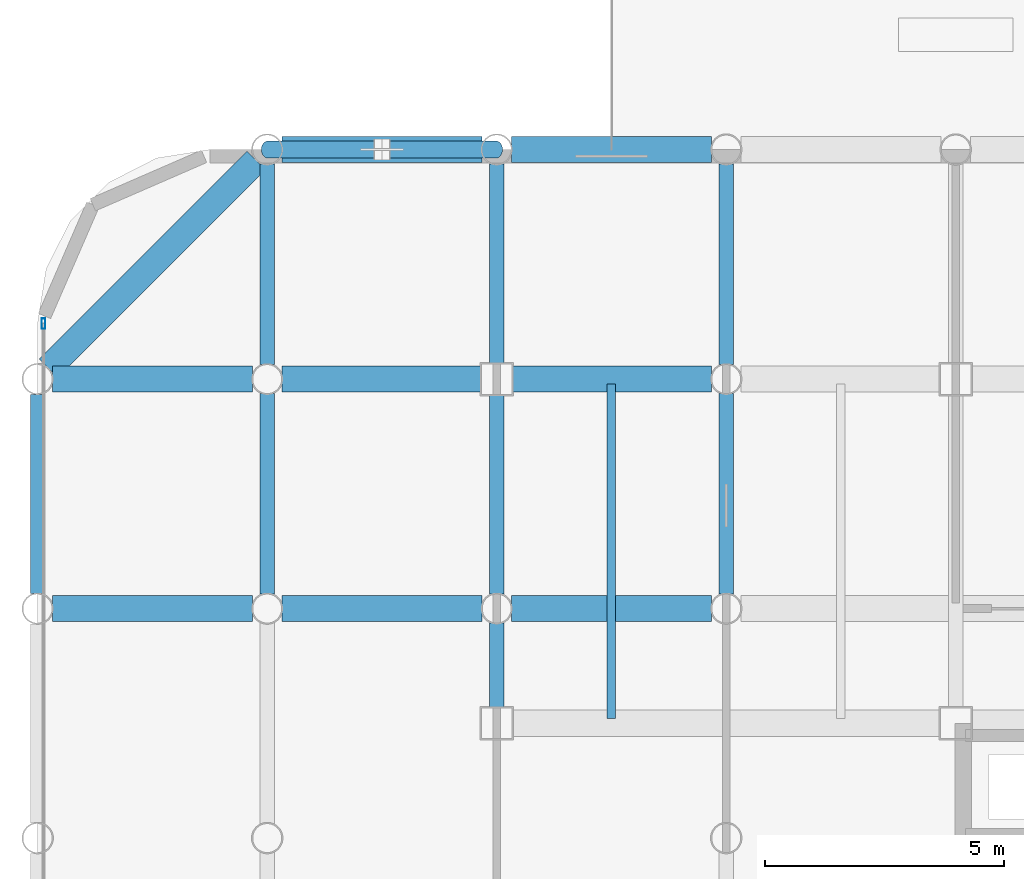
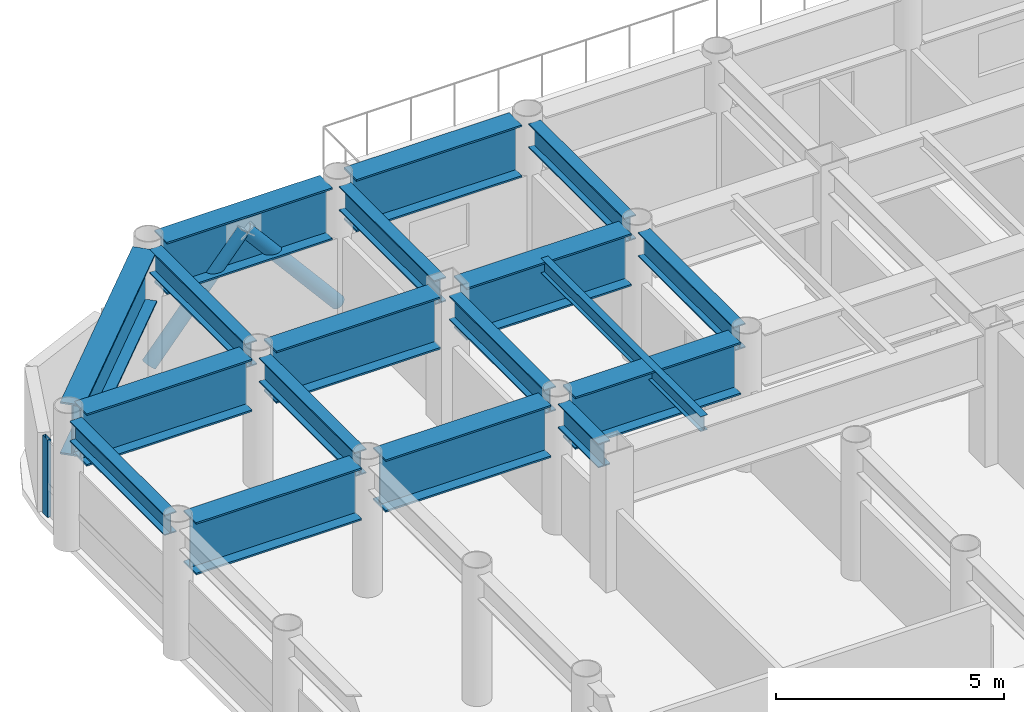
# One storey, part 10 of 22: 18 beams, 3 members, 1 element without a shape of its own.
"""IFC4 building model written with IfcOpenShell, lengths in metres."""

from ifc_helpers import new_model, si_unit, direction, frame, origin, origin_2d, place, context, subcontext, project, spatial, hollow_rectangle, hollow_circle, i_section, extrude, material, layer, layer_set, material_profile, profile_set, type_object, element, aggregate, save


model = new_model("IFC4")

# Units and contexts
model_context = context("Model", 3, precision=1e-05, world=origin(), true_north=direction((0.0, 1.0)))
body_context = subcontext(model_context, "Body", "Model", "MODEL_VIEW")
ifc_project = project(units=[si_unit("LENGTHUNIT", "METRE"), si_unit("AREAUNIT", "SQUARE_METRE"), si_unit("VOLUMEUNIT", "CUBIC_METRE"), si_unit("PLANEANGLEUNIT", "RADIAN"), si_unit("MASSUNIT", "GRAM", prefix="KILO")], contexts=[model_context])

# Site, building, storey
site_placement = place(None, origin())
site = spatial("IfcSite", under=ifc_project, at=site_placement, CompositionType="ELEMENT")
building_placement = place(site_placement, origin())
building = spatial("IfcBuilding", under=site, at=building_placement, Name="Kallvorn Hotel Tower", CompositionType="ELEMENT")
storey_placement = place(building_placement, frame((0.0, 0.0, 154.39990234375)))
storey = spatial("IfcBuildingStorey", under=building, at=storey_placement, Name="L38", CompositionType="ELEMENT", Elevation=154.39990234375)

# Beams
ifc_material_1 = material(Name="Structural steel S355JR", Category="steel")
ifc_material_profile_1 = material_profile(ifc_material_1, i_section(OverallWidth=0.300048828125, OverallDepth=0.550048828125, WebThickness=0.014892578125, FlangeThickness=0.029052734375, at=origin_2d()), Name="HE 550 B")
ifc_profile_set_1 = profile_set([ifc_material_profile_1], Name="Structural steel S355JR")
beam_type_1 = type_object("IfcBeamType", Name="BM_HE550B", PredefinedType="SPANDREL", material=ifc_profile_set_1)
beam_1_placement = place(storey_placement, frame((-33.60009765625, 9.919921875, 3.2451171875), z_axis=(0.0, 1.0, 0.0), x_axis=(-1.0, 0.0, 0.0)))
element("IfcBeam", 1, at=beam_1_placement, inside=storey, type_object=beam_type_1, Name="L39 Perimeter Spandrel 180", PredefinedType="SPANDREL", context=body_context, shape_type="SweptSolid", body=[
    extrude(i_section(OverallWidth=0.300048828125, OverallDepth=0.550048828125, WebThickness=0.014892578125, FlangeThickness=0.029052734375, at=origin_2d()), origin(), (0.0, 0.0, 1.0), 4.16015625),
])
ifc_material_2 = material(Name="Structural steel S355JR", Category="steel")
ifc_material_profile_2 = material_profile(ifc_material_2, i_section(OverallWidth=0.300048828125, OverallDepth=0.64990234375, WebThickness=0.01611328125, FlangeThickness=0.031005859375, at=origin_2d()), Name="HE 650 B")
ifc_profile_set_2 = profile_set([ifc_material_profile_2], Name="Structural steel S355JR")
beam_type_2 = type_object("IfcBeamType", Name="BM_HE650B", PredefinedType="BEAM", material=ifc_profile_set_2)
for number, where, z_axis, x_axis, name in (
    (2, (-28.800048828125, 9.905029296875, 3.195068359375), (0.0, 1.0, 0.0), (-1.0, 0.0, 0.0), "L39 Primary Y-Girder 80"),
    (3, (-28.800048828125, 14.705078125, 3.195068359375), (0.0, 1.0, 0.0), (-1.0, 0.0, 0.0), "L39 Primary Y-Girder 81"),
):
    element("IfcBeam", number, at=place(storey_placement, frame(where, z_axis=z_axis, x_axis=x_axis)), inside=storey, type_object=beam_type_2, Name=name, PredefinedType="BEAM", context=body_context, shape_type="SweptSolid", body=[
        extrude(i_section(OverallWidth=0.300048828125, OverallDepth=0.64990234375, WebThickness=0.01611328125, FlangeThickness=0.031005859375, at=origin_2d()), origin(), (0.0, 0.0, 1.0), 4.18994140625),
    ])
beam_2_placement = place(storey_placement, frame((-24.0, 7.52490234375, 3.195068359375), z_axis=(0.0, 1.0, 0.0), x_axis=(-1.0, 0.0, 0.0)))
element("IfcBeam", 4, at=beam_2_placement, inside=storey, type_object=beam_type_2, Name="L39 Primary Y-Girder 86", PredefinedType="BEAM", context=body_context, shape_type="SweptSolid", body=[
    extrude(i_section(OverallWidth=0.300048828125, OverallDepth=0.64990234375, WebThickness=0.01611328125, FlangeThickness=0.031005859375, at=origin_2d()), origin(), (0.0, 0.0, 1.0), 1.77001953125),
])
for number, where, z_axis, x_axis, name in (
    (5, (-24.0, 9.905029296875, 3.195068359375), (0.0, 1.0, 0.0), (-1.0, 0.0, 0.0), "L39 Primary Y-Girder 87"),
    (6, (-24.0, 14.72509765625, 3.195068359375), (0.0, 1.0, 0.0), (-1.0, 0.0, 0.0), "L39 Primary Y-Girder 88"),
):
    element("IfcBeam", number, at=place(storey_placement, frame(where, z_axis=z_axis, x_axis=x_axis)), inside=storey, type_object=beam_type_2, Name=name, PredefinedType="BEAM", context=body_context, shape_type="SweptSolid", body=[
        extrude(i_section(OverallWidth=0.300048828125, OverallDepth=0.64990234375, WebThickness=0.01611328125, FlangeThickness=0.031005859375, at=origin_2d()), origin(), (0.0, 0.0, 1.0), 4.169921875),
    ])
for number, where, z_axis, x_axis, name in (
    (7, (-19.199951171875, 9.905029296875, 3.195068359375), (0.0, 1.0, 0.0), (-1.0, 0.0, 0.0), "L39 Primary Y-Girder 96"),
    (8, (-19.199951171875, 14.705078125, 3.195068359375), (0.0, 1.0, 0.0), (-1.0, 0.0, 0.0), "L39 Primary Y-Girder 97"),
):
    element("IfcBeam", number, at=place(storey_placement, frame(where, z_axis=z_axis, x_axis=x_axis)), inside=storey, type_object=beam_type_2, Name=name, PredefinedType="BEAM", context=body_context, shape_type="SweptSolid", body=[
        extrude(i_section(OverallWidth=0.300048828125, OverallDepth=0.64990234375, WebThickness=0.01611328125, FlangeThickness=0.031005859375, at=origin_2d()), origin(), (0.0, 0.0, 1.0), 4.18994140625),
    ])
ifc_material_3 = material(Name="Structural steel S355JR", Category="steel")
ifc_material_profile_3 = material_profile(ifc_material_3, i_section(OverallWidth=0.179931640625, OverallDepth=0.39990234375, WebThickness=0.008544921875, FlangeThickness=0.013427734375, at=origin_2d()), Name="IPE 400")
ifc_profile_set_3 = profile_set([ifc_material_profile_3], Name="Structural steel S355JR")
beam_type_3 = type_object("IfcBeamType", Name="BM_IPE400", PredefinedType="JOIST", material=ifc_profile_set_3)
beam_3_placement = place(storey_placement, frame((-21.60009765625, 7.300048828125, 3.320068359375), z_axis=(0.0, 1.0, 0.0), x_axis=(-1.0, 0.0, 0.0)))
element("IfcBeam", 9, at=beam_3_placement, inside=storey, type_object=beam_type_3, Name="L39 Secondary Composite Joist 193", PredefinedType="JOIST", context=body_context, shape_type="SweptSolid", body=[
    extrude(i_section(OverallWidth=0.179931640625, OverallDepth=0.39990234375, WebThickness=0.008544921875, FlangeThickness=0.013427734375, at=origin_2d()), origin(), (0.0, 0.0, 1.0), 7.0),
])
ifc_material_4 = material(Name="Structural steel S355JR", Category="steel")
ifc_material_profile_4 = material_profile(ifc_material_4, i_section(OverallWidth=0.550048828125, OverallDepth=1.39990234375, WebThickness=0.02490234375, FlangeThickness=0.044921875, at=origin_2d()), Name="PG 1400x550x25x45")
ifc_profile_set_4 = profile_set([ifc_material_profile_4], Name="Structural steel S355JR")
beam_type_4 = type_object("IfcBeamType", Name="BM_PG_1400", PredefinedType="BEAM", material=ifc_profile_set_4)
beam_4_placement = place(storey_placement, frame((-33.294921875, 9.60009765625, 2.820068359375), z_axis=(1.0, 0.0, 0.0), x_axis=(0.0, 1.0, 0.0)))
element("IfcBeam", 10, at=beam_4_placement, inside=storey, type_object=beam_type_4, Name="L39 Primary X-Girder 42", PredefinedType="BEAM", context=body_context, shape_type="SweptSolid", body=[
    extrude(i_section(OverallWidth=0.550048828125, OverallDepth=1.39990234375, WebThickness=0.02490234375, FlangeThickness=0.044921875, at=origin_2d()), origin(), (0.0, 0.0, 1.0), 4.18994140625),
])
for number, where, z_axis, x_axis, name in (
    (11, (-28.4951171875, 9.60009765625, 2.820068359375), (1.0, 0.0, 0.0), (0.0, 1.0, 0.0), "L39 Primary X-Girder 43"),
    (12, (-23.695068359375, 9.60009765625, 2.820068359375), (1.0, 0.0, 0.0), (0.0, 1.0, 0.0), "L39 Primary X-Girder 44"),
):
    element("IfcBeam", number, at=place(storey_placement, frame(where, z_axis=z_axis, x_axis=x_axis)), inside=storey, type_object=beam_type_4, Name=name, PredefinedType="BEAM", context=body_context, shape_type="SweptSolid", body=[
        extrude(i_section(OverallWidth=0.550048828125, OverallDepth=1.39990234375, WebThickness=0.02490234375, FlangeThickness=0.044921875, at=origin_2d()), origin(), (0.0, 0.0, 1.0), 4.190185546875),
    ])
beam_5_placement = place(storey_placement, frame((-33.294921875, 14.39990234375, 2.820068359375), z_axis=(1.0, 0.0, 0.0), x_axis=(0.0, 1.0, 0.0)))
element("IfcBeam", 13, at=beam_5_placement, inside=storey, type_object=beam_type_4, Name="L39 Primary X-Girder 51", PredefinedType="BEAM", context=body_context, shape_type="SweptSolid", body=[
    extrude(i_section(OverallWidth=0.550048828125, OverallDepth=1.39990234375, WebThickness=0.02490234375, FlangeThickness=0.044921875, at=origin_2d()), origin(), (0.0, 0.0, 1.0), 4.18994140625),
])
for number, where, z_axis, x_axis, name in (
    (14, (-28.4951171875, 14.39990234375, 2.820068359375), (1.0, 0.0, 0.0), (0.0, 1.0, 0.0), "L39 Primary X-Girder 52"),
    (15, (-23.675048828125, 14.39990234375, 2.820068359375), (1.0, 0.0, 0.0), (0.0, 1.0, 0.0), "L39 Primary X-Girder 53"),
):
    element("IfcBeam", number, at=place(storey_placement, frame(where, z_axis=z_axis, x_axis=x_axis)), inside=storey, type_object=beam_type_4, Name=name, PredefinedType="BEAM", context=body_context, shape_type="SweptSolid", body=[
        extrude(i_section(OverallWidth=0.550048828125, OverallDepth=1.39990234375, WebThickness=0.02490234375, FlangeThickness=0.044921875, at=origin_2d()), origin(), (0.0, 0.0, 1.0), 4.170166015625),
    ])
for number, where, z_axis, x_axis, name in (
    (16, (-28.4951171875, 19.199951171875, 2.820068359375), (1.0, 0.0, 0.0), (0.0, 1.0, 0.0), "L39 Primary X-Girder 61"),
    (17, (-23.695068359375, 19.199951171875, 2.820068359375), (1.0, 0.0, 0.0), (0.0, 1.0, 0.0), "L39 Primary X-Girder 62"),
):
    element("IfcBeam", number, at=place(storey_placement, frame(where, z_axis=z_axis, x_axis=x_axis)), inside=storey, type_object=beam_type_4, Name=name, PredefinedType="BEAM", context=body_context, shape_type="SweptSolid", body=[
        extrude(i_section(OverallWidth=0.550048828125, OverallDepth=1.39990234375, WebThickness=0.02490234375, FlangeThickness=0.044921875, at=origin_2d()), origin(), (0.0, 0.0, 1.0), 4.190185546875),
    ])
beam_6_placement = place(storey_placement, frame((-33.373779296875, 14.626220703125, 2.820068359375), z_axis=(0.707106781187, 0.707106781187, 0.0), x_axis=(-0.707106781187, 0.707106781187, 0.0)))
element("IfcBeam", 18, at=beam_6_placement, inside=storey, type_object=beam_type_4, Name="L39 Rounded Corner Tie Beam 190", PredefinedType="BEAM", context=body_context, shape_type="SweptSolid", body=[
    extrude(i_section(OverallWidth=0.550048828125, OverallDepth=1.39990234375, WebThickness=0.02490234375, FlangeThickness=0.044921875, at=origin_2d()), origin(), (0.0, 0.0, 1.0), 6.148193359375),
])

# Curtain wall, member
ifc_material_5 = material(Name="Thermally broken black-anodised aluminium AA 6063-T6", Category="aluminium")
ifc_layer = layer(ifc_material_5, 0.2099609375)
ifc_layer_set = layer_set([ifc_layer], Name="CW_SYS_4_HOTEL_MID")
curtain_wall_type = type_object("IfcCurtainWallType", Name="CW_SYS_4_HOTEL_MID", PredefinedType="USERDEFINED", material=ifc_layer_set)
curtain_wall_placement = place(storey_placement, origin())
curtain_wall = element("IfcCurtainWall", 19, at=curtain_wall_placement, inside=storey, type_object=curtain_wall_type, Name="L38 Dark-Glass Curtain Wall CW-L38-WN", ObjectType="UNITISED CURTAIN WALL", PredefinedType="USERDEFINED")
ifc_material_6 = material(Name="Thermally broken black-anodised aluminium AA 6063-T6", Category="aluminium")
ifc_material_profile_5 = material_profile(ifc_material_6, hollow_rectangle(XDim=0.080078125, YDim=0.219970703125, WallThickness=0.0048828125, at=origin_2d()), Name="MUL 220x80")
ifc_profile_set_5 = profile_set([ifc_material_profile_5], Name="Thermally broken black-anodised aluminium AA 6063-T6")
member_type_1 = type_object("IfcMemberType", Name="CW_MULLION_220x80", PredefinedType="MULLION", material=ifc_profile_set_5)
member_placement = place(storey_placement, frame((-33.47998046875, 15.56005859375, 0.02001953125), z_axis=(0.0, 0.0, 1.0), x_axis=(1.0, 0.0, 0.0)))
member = element("IfcMember", 20, at=member_placement, type_object=member_type_1, Name="CW-L38-WN Mullion 01", PredefinedType="MULLION", context=body_context, shape_type="SweptSolid", body=[
    extrude(hollow_rectangle(XDim=0.080078125, YDim=0.219970703125, WallThickness=0.0048828125, at=origin_2d()), origin(), (0.0, 0.0, 1.0), 2.080078125),
])
aggregate(curtain_wall, [member])

# Members
ifc_material_7 = material(Name="Structural steel S355J2H", Category="steel")
ifc_material_profile_6 = material_profile(ifc_material_7, hollow_circle(Radius=0.177734375, WallThickness=0.01416015625, at=origin_2d()), Name="CHS 355.6x14.2")
ifc_profile_set_6 = profile_set([ifc_material_profile_6], Name="Structural steel S355J2H")
member_type_2 = type_object("IfcMemberType", Name="MBR_EXO_CHS355", PredefinedType="BRACE", material=ifc_profile_set_6)
for number, where, z_axis, x_axis, name in (
    (21, (-28.787109375, 19.199951171875, 0.1953125), (0.646800487591, 0.0, 0.762659248453), (0.0, 1.0, 0.0), "L38 Exoskeleton K-Brace N1A"),
    (22, (-24.012939453125, 19.199951171875, 0.1953125), (-0.646800487591, 0.0, 0.762659248453), (0.0, -1.0, 0.0), "L38 Exoskeleton K-Brace N1B"),
):
    element("IfcMember", number, at=place(storey_placement, frame(where, z_axis=z_axis, x_axis=x_axis)), inside=storey, type_object=member_type_2, Name=name, PredefinedType="BRACE", context=body_context, shape_type="SweptSolid", body=[
        extrude(hollow_circle(Radius=0.177734375, WallThickness=0.01416015625, at=origin_2d()), origin(), (0.0, 0.0, 1.0), 3.6708984375),
    ])

save(model, "model.ifc")
